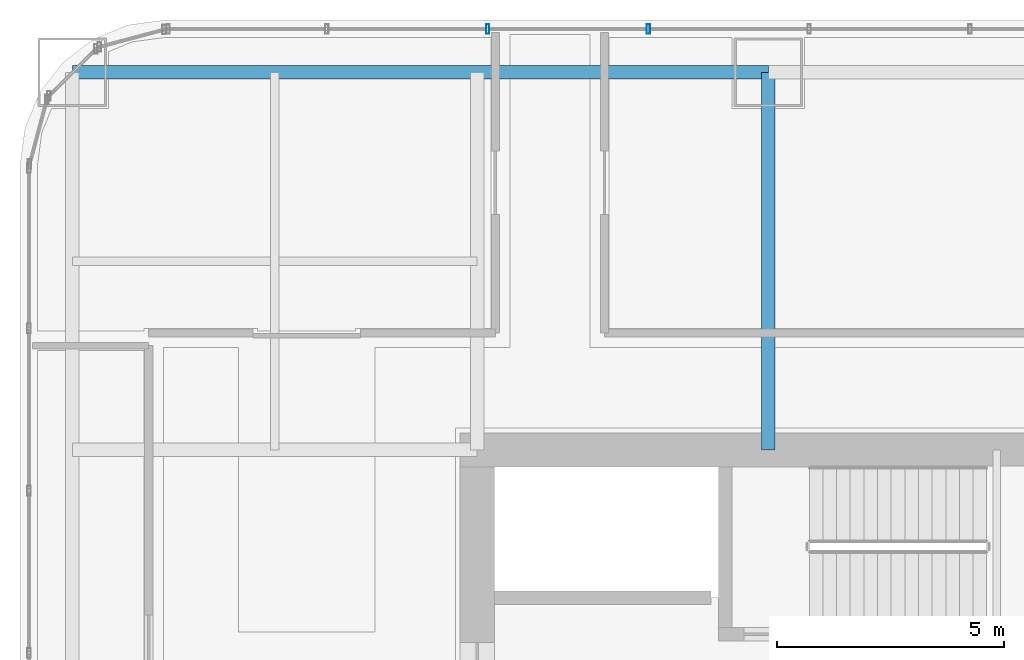
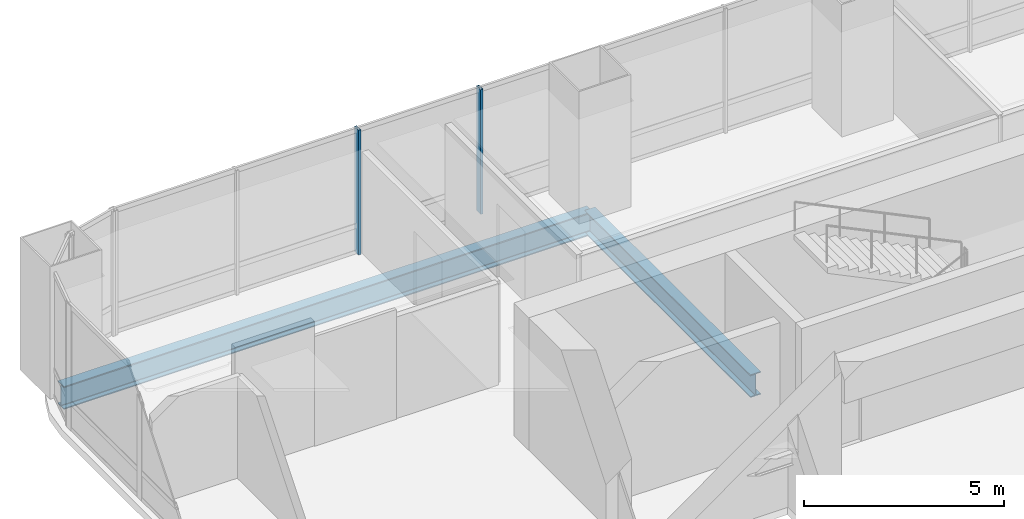
# One storey, part 19 of 35: 2 beams, 2 members, 1 element without a shape of its own.
"""IFC4 building model written with IfcOpenShell, lengths in metres."""

from ifc_helpers import new_model, si_unit, direction, frame, origin, origin_2d, place, context, subcontext, project, spatial, hollow_rectangle, i_section, extrude, material, material_profile, profile_set, type_object, element, aggregate, save


model = new_model("IFC4")

# Units and contexts
model_context = context("Model", 3, precision=1e-05, world=origin(), true_north=direction((0.0, 1.0)))
body_context = subcontext(model_context, "Body", "Model", "MODEL_VIEW")
ifc_project = project(units=[si_unit("LENGTHUNIT", "METRE"), si_unit("AREAUNIT", "SQUARE_METRE"), si_unit("VOLUMEUNIT", "CUBIC_METRE"), si_unit("PLANEANGLEUNIT", "RADIAN"), si_unit("MASSUNIT", "GRAM", prefix="KILO")], contexts=[model_context])

# Site, building, storey
site_placement = place(None, origin())
site = spatial("IfcSite", under=ifc_project, at=site_placement, CompositionType="ELEMENT")
building_placement = place(site_placement, origin())
building = spatial("IfcBuilding", under=site, at=building_placement, Name="Punatoya Terracotta Tower", CompositionType="ELEMENT")
storey_placement = place(building_placement, frame((0.0, 0.0, 68.699951171875)))
storey = spatial("IfcBuildingStorey", under=building, at=storey_placement, Name="L15", CompositionType="ELEMENT", Elevation=68.699951171875)

# Beams
ifc_material_1 = material(Name="Steel S355", Category="steel")
ifc_material_profile_1 = material_profile(ifc_material_1, i_section(OverallWidth=0.300048828125, OverallDepth=0.699951171875, WebThickness=0.01708984375, FlangeThickness=0.031982421875, FilletRadius=0.01806640625, at=origin_2d()))
ifc_profile_set_1 = profile_set([ifc_material_profile_1], Name="Steel S355")
beam_type = type_object("IfcBeamType", Name="BM-PRI-700", PredefinedType="BEAM", material=ifc_profile_set_1)
beam_1_placement = place(storey_placement, frame((-19.10009765625, 17.5, -0.58984375), z_axis=(1.0, 0.0, 0.0), x_axis=(0.0, 1.0, 0.0)))
element("IfcBeam", 1, at=beam_1_placement, inside=storey, type_object=beam_type, Name="BM-L15-RG-N1", PredefinedType="BEAM", context=body_context, shape_type="SweptSolid", body=[
    extrude(i_section(OverallWidth=0.300048828125, OverallDepth=0.699951171875, WebThickness=0.01708984375, FlangeThickness=0.031982421875, FilletRadius=0.01806640625, at=origin_2d()), origin(), (0.0, 0.0, 1.0), 15.300048828125),
])
beam_2_placement = place(storey_placement, frame((-3.800048828125, 9.199951171875, -0.58984375), z_axis=(0.0, 1.0, 0.0), x_axis=(-1.0, 0.0, 0.0)))
element("IfcBeam", 2, at=beam_2_placement, inside=storey, type_object=beam_type, Name="BM-L15-PR-N2", PredefinedType="BEAM", context=body_context, shape_type="SweptSolid", body=[
    extrude(i_section(OverallWidth=0.300048828125, OverallDepth=0.699951171875, WebThickness=0.01708984375, FlangeThickness=0.031982421875, FilletRadius=0.01806640625, at=origin_2d()), origin(), (0.0, 0.0, 1.0), 8.300048828125),
])

# Curtain wall, members
ifc_material_2 = material(Name="Aluminium 6063-T6 + Double Low-E Glass", Category="aluminium")
curtain_wall_type = type_object("IfcCurtainWallType", Name="CW-M1", PredefinedType="NOTDEFINED", material=ifc_material_2)
curtain_wall_placement = place(storey_placement, origin())
curtain_wall = element("IfcCurtainWall", 3, at=curtain_wall_placement, inside=storey, type_object=curtain_wall_type, Name="L15 Curtain Wall CW-L15-N09-1", PredefinedType="NOTDEFINED")
ifc_material_3 = material(Name="Aluminium 6063-T6", Category="aluminium")
ifc_material_profile_2 = material_profile(ifc_material_3, hollow_rectangle(XDim=0.074951171875, YDim=0.2099609375, WallThickness=0.00439453125, at=origin_2d()))
ifc_profile_set_2 = profile_set([ifc_material_profile_2], Name="Aluminium 6063-T6")
member_type = type_object("IfcMemberType", Name="CW-MUL-M1", PredefinedType="MULLION", material=ifc_profile_set_2)
member_1_placement = place(storey_placement, frame((-6.43505859375, 18.449951171875, 0.0), z_axis=(0.0, 0.0, 1.0), x_axis=(1.0, 0.0, 0.0)))
member_1 = element("IfcMember", 4, at=member_1_placement, type_object=member_type, Name="CW-L15-N09-1 Mullion 08", PredefinedType="MULLION", context=body_context, shape_type="SweptSolid", body=[
    extrude(hollow_rectangle(XDim=0.074951171875, YDim=0.2099609375, WallThickness=0.00439453125, at=origin_2d()), origin(), (0.0, 0.0, 1.0), 3.81005859375),
])
member_2_placement = place(storey_placement, frame((-9.968994140625, 18.449951171875, 0.0), z_axis=(0.0, 0.0, 1.0), x_axis=(1.0, 0.0, 0.0)))
member_2 = element("IfcMember", 5, at=member_2_placement, type_object=member_type, Name="CW-L15-N09-1 Mullion 09", PredefinedType="MULLION", context=body_context, shape_type="SweptSolid", body=[
    extrude(hollow_rectangle(XDim=0.074951171875, YDim=0.2099609375, WallThickness=0.00439453125, at=origin_2d()), origin(), (0.0, 0.0, 1.0), 3.81005859375),
])
aggregate(curtain_wall, [member_1, member_2])

save(model, "model.ifc")
